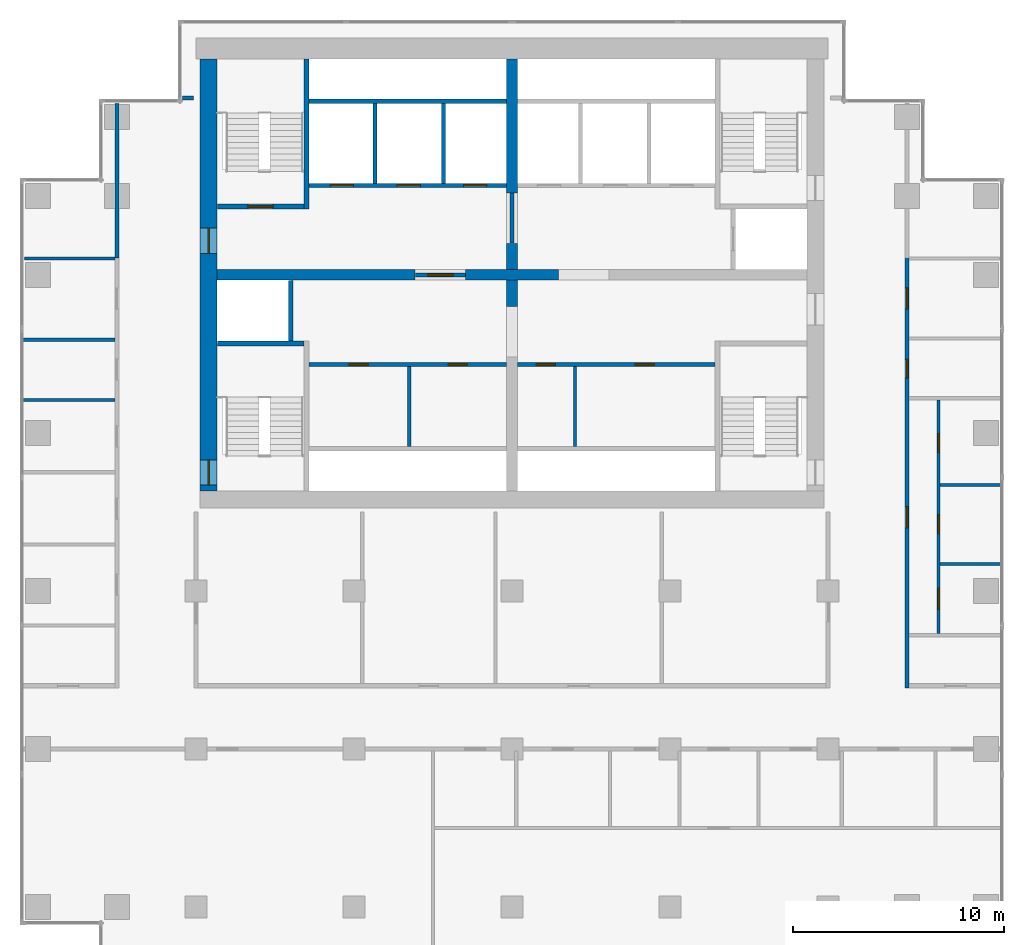
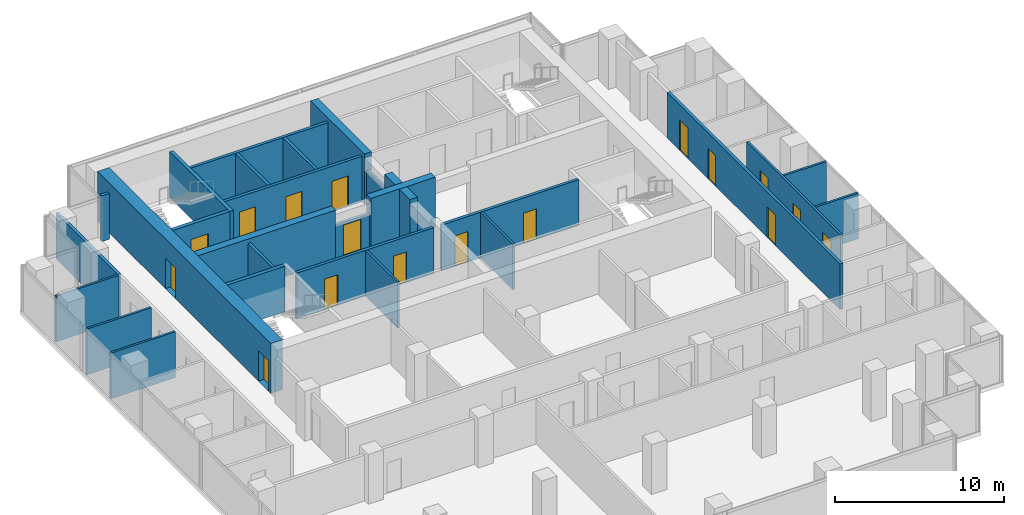
# One storey, part 8 of 10: 29 walls, 17 doors, 17 openings.
"""IFC4 building model written with IfcOpenShell, lengths in metres."""

from ifc_helpers import new_model, si_unit, direction, frame, frame_2d, origin, place, context, subcontext, project, spatial, rectangle, extrude, material, layer, layer_set, type_object, element, fill, save


model = new_model("IFC4")

# Units and contexts
model_context = context("Model", 3, precision=1e-05, world=origin(), true_north=direction((0.0, 1.0)))
body_context = subcontext(model_context, "Body", "Model", "MODEL_VIEW")
ifc_project = project(units=[si_unit("LENGTHUNIT", "METRE"), si_unit("AREAUNIT", "SQUARE_METRE"), si_unit("VOLUMEUNIT", "CUBIC_METRE"), si_unit("PLANEANGLEUNIT", "RADIAN"), si_unit("MASSUNIT", "GRAM", prefix="KILO")], contexts=[model_context])

# Site, building, storey
site_placement = place(None, origin())
site = spatial("IfcSite", under=ifc_project, at=site_placement, CompositionType="ELEMENT")
building_placement = place(site_placement, origin())
building = spatial("IfcBuilding", under=site, at=building_placement, Name="Pilkhan Gate Tower", CompositionType="ELEMENT")
storey_placement = place(building_placement, frame((0.0, 0.0, 162.10009765625)))
storey = spatial("IfcBuildingStorey", under=building, at=storey_placement, Name="L41", CompositionType="ELEMENT", Elevation=162.10009765625)

# Wall, openings, doors
ifc_material_1 = material(Name="Concrete C60/75", Category="concrete")
ifc_layer_1 = layer(ifc_material_1, 0.800048828125)
ifc_layer_set_1 = layer_set([ifc_layer_1], Name="Core wall CW800 C60/75")
wall_type_1 = type_object("IfcWallType", Name="Core wall CW800 C60/75", PredefinedType="SHEAR", material=ifc_layer_set_1)
wall_1_placement = place(storey_placement, frame((60.60009765625, 92.75, 0.0), z_axis=(0.0, 0.0, 1.0), x_axis=(0.0, -1.0, 0.0)))
wall_1 = element("IfcWall", 1, at=wall_1_placement, inside=storey, type_object=wall_type_1, Name="Core wall W L41", PredefinedType="SHEAR", context=body_context, shape_type="SweptSolid", body=[
    extrude(rectangle(XDim=20.5, YDim=0.800048828125, at=frame_2d((10.25, 0.0))), origin(), (0.0, 0.0, 1.0), 3.599853515625),
])
opening_1_placement = place(wall_1_placement, frame((19.02490234375, 0.0, 0.0)))
opening_1 = element("IfcOpeningElement", 2, at=opening_1_placement, cuts=wall_1, Name="Opening L41-04", PredefinedType="OPENING", context=body_context, shape_type="SweptSolid", body=[
    extrude(rectangle(XDim=1.199951171875, YDim=2.199951171875, at=frame_2d((0.60009765625, 1.10009765625))), frame((0.0, 0.409912109375, 0.0), z_axis=(0.0, -1.0, 0.0), x_axis=(1.0, 0.0, 0.0)), (0.0, 0.0, 1.0), 0.820068359375),
])
opening_2_placement = place(wall_1_placement, frame((8.02490234375, 0.0, 0.0)))
opening_2 = element("IfcOpeningElement", 3, at=opening_2_placement, cuts=wall_1, Name="Opening L41-13", PredefinedType="OPENING", context=body_context, shape_type="SweptSolid", body=[
    extrude(rectangle(XDim=1.199951171875, YDim=2.199951171875, at=frame_2d((0.60009765625, 1.10009765625))), frame((0.0, 0.409912109375, 0.0), z_axis=(0.0, -1.0, 0.0), x_axis=(1.0, 0.0, 0.0)), (0.0, 0.0, 1.0), 0.820068359375),
])
ifc_material_2 = material(Name="Steel door, 120 minute fire resisting, self-closing", Category="steel")
door_type_1 = type_object("IfcDoorType", Name="Firefighting lobby door D10 1200x2200", OperationType="SINGLE_SWING_LEFT", PredefinedType="DOOR", material=ifc_material_2)
door_1_placement = place(opening_2_placement, origin())
door_1 = element("IfcDoor", 4, at=door_1_placement, inside=storey, type_object=door_type_1, Name="Core door", OperationType="SINGLE_SWING_LEFT", OverallHeight=2.199951171875, OverallWidth=1.199951171875, PredefinedType="DOOR", context=body_context, shape_type="SweptSolid", body=[
    extrude(rectangle(XDim=1.199951171875, YDim=2.199951171875, at=frame_2d((0.60009765625, 1.10009765625))), frame((0.0, 0.02490234375, 0.0), z_axis=(0.0, -1.0, 0.0), x_axis=(1.0, 0.0, 0.0)), (0.0, 0.0, 1.0), 0.050048828125),
])
fill(opening_2, door_1)
ifc_material_3 = material(Name="Steel door, 120 minute fire resisting, panic bar", Category="steel")
door_type_2 = type_object("IfcDoorType", Name="Stair door D11 1200x2200", OperationType="SINGLE_SWING_LEFT", PredefinedType="DOOR", material=ifc_material_3)
door_2_placement = place(opening_1_placement, origin())
door_2 = element("IfcDoor", 5, at=door_2_placement, inside=storey, type_object=door_type_2, Name="Stair ST2 door", OperationType="SINGLE_SWING_LEFT", OverallHeight=2.199951171875, OverallWidth=1.199951171875, PredefinedType="DOOR", context=body_context, shape_type="SweptSolid", body=[
    extrude(rectangle(XDim=1.199951171875, YDim=2.199951171875, at=frame_2d((0.60009765625, 1.10009765625))), frame((0.0, 0.02490234375, 0.0), z_axis=(0.0, -1.0, 0.0), x_axis=(1.0, 0.0, 0.0)), (0.0, 0.0, 1.0), 0.050048828125),
])
fill(opening_1, door_2)

# Walls
ifc_material_4 = material(Name="Dense blockwork", Category="masonry")
ifc_layer_2 = layer(ifc_material_4, 0.199951171875)
ifc_layer_set_2 = layer_set([ifc_layer_2], Name="Corridor wall FW200")
wall_type_2 = type_object("IfcWallType", Name="Corridor wall FW200", PredefinedType="PARTITIONING", material=ifc_layer_set_2)
wall_2_placement = place(storey_placement, frame((59.35498046875, 90.89990234375, 0.0), z_axis=(0.0, 0.0, 1.0), x_axis=(1.0, 0.0, 0.0)))
element("IfcWall", 6, at=wall_2_placement, inside=storey, type_object=wall_type_2, Name="Partition L41", PredefinedType="PARTITIONING", context=body_context, shape_type="SweptSolid", body=[
    extrude(rectangle(XDim=0.52490234375, YDim=0.199951171875, at=frame_2d((0.262451171875, 0.0))), origin(), (0.0, 0.0, 1.0), 3.2998046875),
])
wall_3_placement = place(storey_placement, frame((56.25, 83.31005859375, 0.0), z_axis=(0.0, 0.0, 1.0), x_axis=(0.0, 1.0, 0.0)))
element("IfcWall", 7, at=wall_3_placement, inside=storey, type_object=wall_type_2, Name="Partition L41", PredefinedType="PARTITIONING", context=body_context, shape_type="SweptSolid", body=[
    extrude(rectangle(XDim=7.3349609375, YDim=0.199951171875, at=frame_2d((3.66748046875, 0.0))), origin(), (0.0, 0.0, 1.0), 3.2998046875),
])

# Wall, openings, doors
wall_4_placement = place(storey_placement, frame((93.75, 62.89990234375, 0.0), z_axis=(0.0, 0.0, 1.0), x_axis=(0.0, 1.0, 0.0)))
wall_4 = element("IfcWall", 8, at=wall_4_placement, inside=storey, type_object=wall_type_2, Name="Partition L41", PredefinedType="PARTITIONING", context=body_context, shape_type="SweptSolid", body=[
    extrude(rectangle(XDim=20.455078125, YDim=0.199951171875, at=frame_2d((10.2275390625, 0.0))), origin(), (0.0, 0.0, 1.0), 3.2998046875),
])
opening_3_placement = place(wall_4_placement, frame((7.60009765625, 0.0, 0.0)))
opening_3 = element("IfcOpeningElement", 9, at=opening_3_placement, cuts=wall_4, Name="Opening L41-11", PredefinedType="OPENING", context=body_context, shape_type="SweptSolid", body=[
    extrude(rectangle(XDim=1.0, YDim=2.199951171875, at=frame_2d((0.5, 1.10009765625))), frame((0.0, 0.10986328125, 0.0), z_axis=(0.0, -1.0, 0.0), x_axis=(1.0, 0.0, 0.0)), (0.0, 0.0, 1.0), 0.219970703125),
])
opening_4_placement = place(wall_4_placement, frame((14.699951171875, 0.0, 0.0)))
opening_4 = element("IfcOpeningElement", 10, at=opening_4_placement, cuts=wall_4, Name="Opening L41-32", PredefinedType="OPENING", context=body_context, shape_type="SweptSolid", body=[
    extrude(rectangle(XDim=0.89990234375, YDim=2.199951171875, at=frame_2d((0.449951171875, 1.10009765625))), frame((0.0, 0.10986328125, 0.0), z_axis=(0.0, -1.0, 0.0), x_axis=(1.0, 0.0, 0.0)), (0.0, 0.0, 1.0), 0.219970703125),
])
opening_5_placement = place(wall_4_placement, frame((17.990966796875, 0.0, 0.0)))
opening_5 = element("IfcOpeningElement", 11, at=opening_5_placement, cuts=wall_4, Name="Opening L41-33", PredefinedType="OPENING", context=body_context, shape_type="SweptSolid", body=[
    extrude(rectangle(XDim=1.0, YDim=2.199951171875, at=frame_2d((0.5, 1.10009765625))), frame((0.0, 0.10986328125, 0.0), z_axis=(0.0, -1.0, 0.0), x_axis=(1.0, 0.0, 0.0)), (0.0, 0.0, 1.0), 0.219970703125),
])
ifc_material_5 = material(Name="Timber flush door, 30 minute fire resisting", Category="wood")
door_type_3 = type_object("IfcDoorType", Name="Room door D03 1000x2200", OperationType="SINGLE_SWING_LEFT", PredefinedType="DOOR", material=ifc_material_5)
door_3_placement = place(opening_3_placement, origin())
door_3 = element("IfcDoor", 12, at=door_3_placement, inside=storey, type_object=door_type_3, Name="Toilet lobby door", OperationType="SINGLE_SWING_RIGHT", OverallHeight=2.199951171875, OverallWidth=1.0, PredefinedType="DOOR", context=body_context, shape_type="SweptSolid", body=[
    extrude(rectangle(XDim=1.0, YDim=2.199951171875, at=frame_2d((0.5, 1.10009765625))), frame((0.0, 0.02490234375, 0.0), z_axis=(0.0, -1.0, 0.0), x_axis=(1.0, 0.0, 0.0)), (0.0, 0.0, 1.0), 0.050048828125),
])
fill(opening_3, door_3)
door_4_placement = place(opening_5_placement, origin())
door_4 = element("IfcDoor", 13, at=door_4_placement, inside=storey, type_object=door_type_3, Name="Room door", OperationType="SINGLE_SWING_RIGHT", OverallHeight=2.199951171875, OverallWidth=1.0, PredefinedType="DOOR", context=body_context, shape_type="SweptSolid", body=[
    extrude(rectangle(XDim=1.0, YDim=2.199951171875, at=frame_2d((0.5, 1.10009765625))), frame((0.0, 0.02490234375, 0.0), z_axis=(0.0, -1.0, 0.0), x_axis=(1.0, 0.0, 0.0)), (0.0, 0.0, 1.0), 0.050048828125),
])
fill(opening_5, door_4)
ifc_material_6 = material(Name="Timber flush door, 60 minute fire resisting, self-closing", Category="wood")
door_type_4 = type_object("IfcDoorType", Name="Store door D05 900x2200", OperationType="SINGLE_SWING_LEFT", PredefinedType="DOOR", material=ifc_material_6)
door_5_placement = place(opening_4_placement, origin())
door_5 = element("IfcDoor", 14, at=door_5_placement, inside=storey, type_object=door_type_4, Name="Store door", OperationType="SINGLE_SWING_RIGHT", OverallHeight=2.199951171875, OverallWidth=0.89990234375, PredefinedType="DOOR", context=body_context, shape_type="SweptSolid", body=[
    extrude(rectangle(XDim=0.89990234375, YDim=2.199951171875, at=frame_2d((0.449951171875, 1.10009765625))), frame((0.0, 0.02490234375, 0.0), z_axis=(0.0, -1.0, 0.0), x_axis=(1.0, 0.0, 0.0)), (0.0, 0.0, 1.0), 0.050048828125),
])
fill(opening_4, door_5)

ifc_layer_3 = layer(ifc_material_4, 0.199951171875)
ifc_layer_set_3 = layer_set([ifc_layer_3], Name="Lobby wall LW200")
wall_type_3 = type_object("IfcWallType", Name="Lobby wall LW200", PredefinedType="PARTITIONING", material=ifc_layer_set_3)
wall_5_placement = place(storey_placement, frame((65.375, 78.25, 0.0), z_axis=(0.0, 0.0, 1.0), x_axis=(1.0, 0.0, 0.0)))
wall_5 = element("IfcWall", 15, at=wall_5_placement, inside=storey, type_object=wall_type_3, Name="Partition L41", PredefinedType="PARTITIONING", context=body_context, shape_type="SweptSolid", body=[
    extrude(rectangle(XDim=9.364990234375, YDim=0.199951171875, at=frame_2d((4.6826171875, 0.0))), origin(), (0.0, 0.0, 1.0), 3.2998046875),
])
opening_6_placement = place(wall_5_placement, frame((1.89990234375, 0.0, 0.0)))
opening_6 = element("IfcOpeningElement", 16, at=opening_6_placement, cuts=wall_5, Name="Opening L41-14", PredefinedType="OPENING", context=body_context, shape_type="SweptSolid", body=[
    extrude(rectangle(XDim=0.89990234375, YDim=2.199951171875, at=frame_2d((0.449951171875, 1.10009765625))), frame((0.0, 0.10986328125, 0.0), z_axis=(0.0, -1.0, 0.0), x_axis=(1.0, 0.0, 0.0)), (0.0, 0.0, 1.0), 0.219970703125),
])
opening_7_placement = place(wall_5_placement, frame((6.60009765625, 0.0, 0.0)))
opening_7 = element("IfcOpeningElement", 17, at=opening_7_placement, cuts=wall_5, Name="Opening L41-15", PredefinedType="OPENING", context=body_context, shape_type="SweptSolid", body=[
    extrude(rectangle(XDim=0.89990234375, YDim=2.199951171875, at=frame_2d((0.449951171875, 1.10009765625))), frame((0.0, 0.10986328125, 0.0), z_axis=(0.0, -1.0, 0.0), x_axis=(1.0, 0.0, 0.0)), (0.0, 0.0, 1.0), 0.219970703125),
])
door_6_placement = place(opening_6_placement, origin())
door_6 = element("IfcDoor", 18, at=door_6_placement, inside=storey, type_object=door_type_4, Name="Store door", OperationType="SINGLE_SWING_RIGHT", OverallHeight=2.199951171875, OverallWidth=0.89990234375, PredefinedType="DOOR", context=body_context, shape_type="SweptSolid", body=[
    extrude(rectangle(XDim=0.89990234375, YDim=2.199951171875, at=frame_2d((0.449951171875, 1.10009765625))), frame((0.0, 0.02490234375, 0.0), z_axis=(0.0, -1.0, 0.0), x_axis=(1.0, 0.0, 0.0)), (0.0, 0.0, 1.0), 0.050048828125),
])
fill(opening_6, door_6)
door_7_placement = place(opening_7_placement, origin())
door_7 = element("IfcDoor", 19, at=door_7_placement, inside=storey, type_object=door_type_4, Name="Store door", OperationType="SINGLE_SWING_LEFT", OverallHeight=2.199951171875, OverallWidth=0.89990234375, PredefinedType="DOOR", context=body_context, shape_type="SweptSolid", body=[
    extrude(rectangle(XDim=0.89990234375, YDim=2.199951171875, at=frame_2d((0.449951171875, 1.10009765625))), frame((0.0, 0.02490234375, 0.0), z_axis=(0.0, -1.0, 0.0), x_axis=(1.0, 0.0, 0.0)), (0.0, 0.0, 1.0), 0.050048828125),
])
fill(opening_7, door_7)

wall_6_placement = place(storey_placement, frame((75.260009765625, 78.25, 0.0), z_axis=(0.0, 0.0, 1.0), x_axis=(1.0, 0.0, 0.0)))
wall_6 = element("IfcWall", 20, at=wall_6_placement, inside=storey, type_object=wall_type_3, Name="Partition L41", PredefinedType="PARTITIONING", context=body_context, shape_type="SweptSolid", body=[
    extrude(rectangle(XDim=9.364990234375, YDim=0.199951171875, at=frame_2d((4.6826171875, 0.0))), origin(), (0.0, 0.0, 1.0), 3.2998046875),
])
opening_8_placement = place(wall_6_placement, frame((0.89990234375, 0.0, 0.0)))
opening_8 = element("IfcOpeningElement", 21, at=opening_8_placement, cuts=wall_6, Name="Opening L41-16", PredefinedType="OPENING", context=body_context, shape_type="SweptSolid", body=[
    extrude(rectangle(XDim=0.89990234375, YDim=2.199951171875, at=frame_2d((0.449951171875, 1.10009765625))), frame((0.0, 0.10986328125, 0.0), z_axis=(0.0, -1.0, 0.0), x_axis=(1.0, 0.0, 0.0)), (0.0, 0.0, 1.0), 0.219970703125),
])
opening_9_placement = place(wall_6_placement, frame((5.580078125, 0.0, 0.0)))
opening_9 = element("IfcOpeningElement", 22, at=opening_9_placement, cuts=wall_6, Name="Opening L41-17", PredefinedType="OPENING", context=body_context, shape_type="SweptSolid", body=[
    extrude(rectangle(XDim=0.89990234375, YDim=2.199951171875, at=frame_2d((0.449951171875, 1.10009765625))), frame((0.0, 0.10986328125, 0.0), z_axis=(0.0, -1.0, 0.0), x_axis=(1.0, 0.0, 0.0)), (0.0, 0.0, 1.0), 0.219970703125),
])
door_8_placement = place(opening_8_placement, origin())
door_8 = element("IfcDoor", 23, at=door_8_placement, inside=storey, type_object=door_type_4, Name="Store door", OperationType="SINGLE_SWING_RIGHT", OverallHeight=2.199951171875, OverallWidth=0.89990234375, PredefinedType="DOOR", context=body_context, shape_type="SweptSolid", body=[
    extrude(rectangle(XDim=0.89990234375, YDim=2.199951171875, at=frame_2d((0.449951171875, 1.10009765625))), frame((0.0, 0.02490234375, 0.0), z_axis=(0.0, -1.0, 0.0), x_axis=(1.0, 0.0, 0.0)), (0.0, 0.0, 1.0), 0.050048828125),
])
fill(opening_8, door_8)
door_9_placement = place(opening_9_placement, origin())
door_9 = element("IfcDoor", 24, at=door_9_placement, inside=storey, type_object=door_type_4, Name="Store door", OperationType="SINGLE_SWING_RIGHT", OverallHeight=2.199951171875, OverallWidth=0.89990234375, PredefinedType="DOOR", context=body_context, shape_type="SweptSolid", body=[
    extrude(rectangle(XDim=0.89990234375, YDim=2.199951171875, at=frame_2d((0.449951171875, 1.10009765625))), frame((0.0, 0.02490234375, 0.0), z_axis=(0.0, -1.0, 0.0), x_axis=(1.0, 0.0, 0.0)), (0.0, 0.0, 1.0), 0.050048828125),
])
fill(opening_9, door_9)

# Wall, opening, door
wall_7_placement = place(storey_placement, frame((70.409912109375, 82.5, 0.0), z_axis=(0.0, 0.0, 1.0), x_axis=(1.0, 0.0, 0.0)))
wall_7 = element("IfcWall", 25, at=wall_7_placement, inside=storey, type_object=wall_type_3, Name="Partition L41", PredefinedType="PARTITIONING", context=body_context, shape_type="SweptSolid", body=[
    extrude(rectangle(XDim=2.380126953125, YDim=0.199951171875, at=frame_2d((1.18994140625, 0.0))), origin(), (0.0, 0.0, 1.0), 2.39990234375),
])
opening_10_placement = place(wall_7_placement, frame((0.60009765625, 0.0, 0.0)))
opening_10 = element("IfcOpeningElement", 26, at=opening_10_placement, cuts=wall_7, Name="Opening L41-01", PredefinedType="OPENING", context=body_context, shape_type="SweptSolid", body=[
    extrude(rectangle(XDim=1.199951171875, YDim=2.199951171875, at=frame_2d((0.60009765625, 1.10009765625))), frame((0.0, 0.10986328125, 0.0), z_axis=(0.0, -1.0, 0.0), x_axis=(1.0, 0.0, 0.0)), (0.0, 0.0, 1.0), 0.219970703125),
])
door_10_placement = place(opening_10_placement, origin())
door_10 = element("IfcDoor", 27, at=door_10_placement, inside=storey, type_object=door_type_1, Name="Firefighting lobby door", OperationType="SINGLE_SWING_LEFT", OverallHeight=2.199951171875, OverallWidth=1.199951171875, PredefinedType="DOOR", context=body_context, shape_type="SweptSolid", body=[
    extrude(rectangle(XDim=1.199951171875, YDim=2.199951171875, at=frame_2d((0.60009765625, 1.10009765625))), frame((0.0, 0.02490234375, 0.0), z_axis=(0.0, -1.0, 0.0), x_axis=(1.0, 0.0, 0.0)), (0.0, 0.0, 1.0), 0.050048828125),
])
fill(opening_10, door_10)

# Walls
wall_8_placement = place(storey_placement, frame((75.0, 84.010009765625, 0.0), z_axis=(0.0, 0.0, 1.0), x_axis=(0.0, 1.0, 0.0)))
element("IfcWall", 28, at=wall_8_placement, inside=storey, type_object=wall_type_3, Name="Partition L41", PredefinedType="PARTITIONING", context=body_context, shape_type="SweptSolid", body=[
    extrude(rectangle(XDim=2.3798828125, YDim=0.199951171875, at=frame_2d((1.18994140625, 0.0))), origin(), (0.0, 0.0, 1.0), 2.39990234375),
])
ifc_material_7 = material(Name="Blockwork partition, plastered both sides", Category="masonry")
ifc_layer_4 = layer(ifc_material_7, 0.14990234375)
ifc_layer_set_4 = layer_set([ifc_layer_4], Name="Partition PW150")
wall_type_4 = type_object("IfcWallType", Name="Partition PW150", PredefinedType="PARTITIONING", material=ifc_layer_set_4)
for number, where, z_axis, x_axis, name in (
    (29, (95.324951171875, 68.77490234375, 0.0), (0.0, 0.0, 1.0), (1.0, 0.0, 0.0), "Partition L41"),
    (30, (95.324951171875, 72.52490234375, 0.0), (0.0, 0.0, 1.0), (1.0, 0.0, 0.0), "Partition L41"),
):
    element("IfcWall", number, at=place(storey_placement, frame(where, z_axis=z_axis, x_axis=x_axis)), inside=storey, type_object=wall_type_4, Name=name, PredefinedType="PARTITIONING", context=body_context, shape_type="SweptSolid", body=[
        extrude(rectangle(XDim=2.93994140625, YDim=0.14990234375, at=frame_2d((1.469970703125, 0.0))), origin(), (0.0, 0.0, 1.0), 3.2998046875),
    ])
for number, where, z_axis, x_axis, name in (
    (31, (51.735107421875, 76.568115234375, 0.0), (0.0, 0.0, 1.0), (1.0, 0.0, 0.0), "Partition L41"),
    (32, (51.735107421875, 79.424072265625, 0.0), (0.0, 0.0, 1.0), (1.0, 0.0, 0.0), "Partition L41"),
):
    element("IfcWall", number, at=place(storey_placement, frame(where, z_axis=z_axis, x_axis=x_axis)), inside=storey, type_object=wall_type_4, Name=name, PredefinedType="PARTITIONING", context=body_context, shape_type="SweptSolid", body=[
        extrude(rectangle(XDim=4.414794921875, YDim=0.14990234375, at=frame_2d((2.20751953125, 0.0))), origin(), (0.0, 0.0, 1.0), 3.2998046875),
    ])
wall_9_placement = place(storey_placement, frame((51.85498046875, 83.280029296875, 0.0), z_axis=(0.0, 0.0, 1.0), x_axis=(1.0, 0.0, 0.0)))
element("IfcWall", 33, at=wall_9_placement, inside=storey, type_object=wall_type_4, Name="Partition L41", PredefinedType="PARTITIONING", context=body_context, shape_type="SweptSolid", body=[
    extrude(rectangle(XDim=4.294921875, YDim=0.14990234375, at=frame_2d((2.1474609375, 0.0))), origin(), (0.0, 0.0, 1.0), 3.2998046875),
])
for number, where, z_axis, x_axis, name in (
    (34, (70.125, 74.35009765625, 0.0), (0.0, 0.0, 1.0), (0.0, 1.0, 0.0), "Partition L41"),
    (35, (77.989990234375, 74.35009765625, 0.0), (0.0, 0.0, 1.0), (0.0, 1.0, 0.0), "Partition L41"),
):
    element("IfcWall", number, at=place(storey_placement, frame(where, z_axis=z_axis, x_axis=x_axis)), inside=storey, type_object=wall_type_4, Name=name, PredefinedType="PARTITIONING", context=body_context, shape_type="SweptSolid", body=[
        extrude(rectangle(XDim=3.7998046875, YDim=0.14990234375, at=frame_2d((1.89990234375, 0.0))), origin(), (0.0, 0.0, 1.0), 3.2998046875),
    ])

# Wall, openings, doors
wall_10_placement = place(storey_placement, frame((95.25, 65.47509765625, 0.0), z_axis=(0.0, 0.0, 1.0), x_axis=(0.0, 1.0, 0.0)))
wall_10 = element("IfcWall", 36, at=wall_10_placement, inside=storey, type_object=wall_type_4, Name="Partition L41", PredefinedType="PARTITIONING", context=body_context, shape_type="SweptSolid", body=[
    extrude(rectangle(XDim=11.099853515625, YDim=0.14990234375, at=frame_2d((5.5498046875, 0.0))), origin(), (0.0, 0.0, 1.0), 3.2998046875),
])
opening_11_placement = place(wall_10_placement, frame((1.14990234375, 0.0, 0.0)))
opening_11 = element("IfcOpeningElement", 37, at=opening_11_placement, cuts=wall_10, Name="Opening L41-28", PredefinedType="OPENING", context=body_context, shape_type="SweptSolid", body=[
    extrude(rectangle(XDim=1.0, YDim=2.199951171875, at=frame_2d((0.5, 1.10009765625))), frame((0.0, 0.0849609375, 0.0), z_axis=(0.0, -1.0, 0.0), x_axis=(1.0, 0.0, 0.0)), (0.0, 0.0, 1.0), 0.169921875),
])
opening_12_placement = place(wall_10_placement, frame((4.75, 0.0, 0.0)))
opening_12 = element("IfcOpeningElement", 38, at=opening_12_placement, cuts=wall_10, Name="Opening L41-29", PredefinedType="OPENING", context=body_context, shape_type="SweptSolid", body=[
    extrude(rectangle(XDim=0.89990234375, YDim=2.199951171875, at=frame_2d((0.449951171875, 1.10009765625))), frame((0.0, 0.0849609375, 0.0), z_axis=(0.0, -1.0, 0.0), x_axis=(1.0, 0.0, 0.0)), (0.0, 0.0, 1.0), 0.169921875),
])
opening_13_placement = place(wall_10_placement, frame((8.60009765625, 0.0, 0.0)))
opening_13 = element("IfcOpeningElement", 39, at=opening_13_placement, cuts=wall_10, Name="Opening L41-30", PredefinedType="OPENING", context=body_context, shape_type="SweptSolid", body=[
    extrude(rectangle(XDim=0.89990234375, YDim=2.199951171875, at=frame_2d((0.449951171875, 1.10009765625))), frame((0.0, 0.0849609375, 0.0), z_axis=(0.0, -1.0, 0.0), x_axis=(1.0, 0.0, 0.0)), (0.0, 0.0, 1.0), 0.169921875),
])
ifc_material_8 = material(Name="Timber flush door, outward opening, 30 minute fire resisting", Category="wood")
door_type_5 = type_object("IfcDoorType", Name="Accessible toilet door D07 1000x2200", OperationType="SINGLE_SWING_LEFT", PredefinedType="DOOR", material=ifc_material_8)
door_11_placement = place(opening_11_placement, origin())
door_11 = element("IfcDoor", 40, at=door_11_placement, inside=storey, type_object=door_type_5, Name="Accessible toilet door", OperationType="SINGLE_SWING_LEFT", OverallHeight=2.199951171875, OverallWidth=1.0, PredefinedType="DOOR", context=body_context, shape_type="SweptSolid", body=[
    extrude(rectangle(XDim=1.0, YDim=2.199951171875, at=frame_2d((0.5, 1.10009765625))), frame((0.0, 0.02490234375, 0.0), z_axis=(0.0, -1.0, 0.0), x_axis=(1.0, 0.0, 0.0)), (0.0, 0.0, 1.0), 0.050048828125),
])
fill(opening_11, door_11)
door_type_6 = type_object("IfcDoorType", Name="Toilet door D06 900x2200", OperationType="SINGLE_SWING_LEFT", PredefinedType="DOOR", material=ifc_material_5)
door_12_placement = place(opening_12_placement, origin())
door_12 = element("IfcDoor", 41, at=door_12_placement, inside=storey, type_object=door_type_6, Name="Toilet door", OperationType="SINGLE_SWING_LEFT", OverallHeight=2.199951171875, OverallWidth=0.89990234375, PredefinedType="DOOR", context=body_context, shape_type="SweptSolid", body=[
    extrude(rectangle(XDim=0.89990234375, YDim=2.199951171875, at=frame_2d((0.449951171875, 1.10009765625))), frame((0.0, 0.02490234375, 0.0), z_axis=(0.0, -1.0, 0.0), x_axis=(1.0, 0.0, 0.0)), (0.0, 0.0, 1.0), 0.050048828125),
])
fill(opening_12, door_12)
door_13_placement = place(opening_13_placement, origin())
door_13 = element("IfcDoor", 42, at=door_13_placement, inside=storey, type_object=door_type_6, Name="Toilet door", OperationType="SINGLE_SWING_LEFT", OverallHeight=2.199951171875, OverallWidth=0.89990234375, PredefinedType="DOOR", context=body_context, shape_type="SweptSolid", body=[
    extrude(rectangle(XDim=0.89990234375, YDim=2.199951171875, at=frame_2d((0.449951171875, 1.10009765625))), frame((0.0, 0.02490234375, 0.0), z_axis=(0.0, -1.0, 0.0), x_axis=(1.0, 0.0, 0.0)), (0.0, 0.0, 1.0), 0.050048828125),
])
fill(opening_13, door_13)

ifc_material_9 = material(Name="Reinforced blockwork shaft wall, 120 minute fire resisting", Category="masonry")
ifc_layer_5 = layer(ifc_material_9, 0.199951171875)
ifc_layer_set_5 = layer_set([ifc_layer_5], Name="Shaft wall SW200")
wall_type_5 = type_object("IfcWallType", Name="Shaft wall SW200", PredefinedType="PARTITIONING", material=ifc_layer_set_5)
wall_11_placement = place(storey_placement, frame((65.375, 86.75, 0.0), z_axis=(0.0, 0.0, 1.0), x_axis=(1.0, 0.0, 0.0)))
wall_11 = element("IfcWall", 43, at=wall_11_placement, inside=storey, type_object=wall_type_5, Name="Partition L41", PredefinedType="PARTITIONING", context=body_context, shape_type="SweptSolid", body=[
    extrude(rectangle(XDim=9.364990234375, YDim=0.199951171875, at=frame_2d((4.6826171875, 0.0))), origin(), (0.0, 0.0, 1.0), 3.2998046875),
])
opening_14_placement = place(wall_11_placement, frame((1.0, 0.0, 0.0)))
opening_14 = element("IfcOpeningElement", 44, at=opening_14_placement, cuts=wall_11, Name="Opening LD", PredefinedType="OPENING", context=body_context, shape_type="SweptSolid", body=[
    extrude(rectangle(XDim=1.10009765625, YDim=2.199951171875, at=frame_2d((0.550048828125, 1.10009765625))), frame((0.0, 0.10986328125, 0.0), z_axis=(0.0, -1.0, 0.0), x_axis=(1.0, 0.0, 0.0)), (0.0, 0.0, 1.0), 0.219970703125),
])
opening_15_placement = place(wall_11_placement, frame((4.175048828125, 0.0, 0.0)))
opening_15 = element("IfcOpeningElement", 45, at=opening_15_placement, cuts=wall_11, Name="Opening LD", PredefinedType="OPENING", context=body_context, shape_type="SweptSolid", body=[
    extrude(rectangle(XDim=1.10009765625, YDim=2.199951171875, at=frame_2d((0.550048828125, 1.10009765625))), frame((0.0, 0.10986328125, 0.0), z_axis=(0.0, -1.0, 0.0), x_axis=(1.0, 0.0, 0.0)), (0.0, 0.0, 1.0), 0.219970703125),
])
opening_16_placement = place(wall_11_placement, frame((7.324951171875, 0.0, 0.0)))
opening_16 = element("IfcOpeningElement", 46, at=opening_16_placement, cuts=wall_11, Name="Opening LD", PredefinedType="OPENING", context=body_context, shape_type="SweptSolid", body=[
    extrude(rectangle(XDim=1.10009765625, YDim=2.199951171875, at=frame_2d((0.550048828125, 1.10009765625))), frame((0.0, 0.10986328125, 0.0), z_axis=(0.0, -1.0, 0.0), x_axis=(1.0, 0.0, 0.0)), (0.0, 0.0, 1.0), 0.219970703125),
])
ifc_material_10 = material(Name="Stainless steel centre-opening landing door, 120 minute fire resisting", Category="steel")
door_type_7 = type_object("IfcDoorType", Name="Lift landing door LD 1100x2200", OperationType="DOUBLE_DOOR_SLIDING", PredefinedType="DOOR", material=ifc_material_10)
door_14_placement = place(opening_14_placement, origin())
door_14 = element("IfcDoor", 47, at=door_14_placement, inside=storey, type_object=door_type_7, Name="Landing door FF1", OperationType="DOUBLE_DOOR_SLIDING", OverallHeight=2.199951171875, OverallWidth=1.10009765625, PredefinedType="DOOR", context=body_context, shape_type="SweptSolid", body=[
    extrude(rectangle(XDim=1.10009765625, YDim=2.199951171875, at=frame_2d((0.550048828125, 1.10009765625))), frame((0.0, 0.02490234375, 0.0), z_axis=(0.0, -1.0, 0.0), x_axis=(1.0, 0.0, 0.0)), (0.0, 0.0, 1.0), 0.050048828125),
])
fill(opening_14, door_14)
door_15_placement = place(opening_15_placement, origin())
door_15 = element("IfcDoor", 48, at=door_15_placement, inside=storey, type_object=door_type_7, Name="Landing door FF2", OperationType="DOUBLE_DOOR_SLIDING", OverallHeight=2.199951171875, OverallWidth=1.10009765625, PredefinedType="DOOR", context=body_context, shape_type="SweptSolid", body=[
    extrude(rectangle(XDim=1.10009765625, YDim=2.199951171875, at=frame_2d((0.550048828125, 1.10009765625))), frame((0.0, 0.02490234375, 0.0), z_axis=(0.0, -1.0, 0.0), x_axis=(1.0, 0.0, 0.0)), (0.0, 0.0, 1.0), 0.050048828125),
])
fill(opening_15, door_15)
door_16_placement = place(opening_16_placement, origin())
door_16 = element("IfcDoor", 49, at=door_16_placement, inside=storey, type_object=door_type_7, Name="Landing door SV1", OperationType="DOUBLE_DOOR_SLIDING", OverallHeight=2.199951171875, OverallWidth=1.10009765625, PredefinedType="DOOR", context=body_context, shape_type="SweptSolid", body=[
    extrude(rectangle(XDim=1.10009765625, YDim=2.199951171875, at=frame_2d((0.550048828125, 1.10009765625))), frame((0.0, 0.02490234375, 0.0), z_axis=(0.0, -1.0, 0.0), x_axis=(1.0, 0.0, 0.0)), (0.0, 0.0, 1.0), 0.050048828125),
])
fill(opening_16, door_16)

# Walls
wall_12_placement = place(storey_placement, frame((65.375, 90.75, 0.0), z_axis=(0.0, 0.0, 1.0), x_axis=(1.0, 0.0, 0.0)))
element("IfcWall", 50, at=wall_12_placement, inside=storey, type_object=wall_type_5, Name="Partition L41", PredefinedType="PARTITIONING", context=body_context, shape_type="SweptSolid", body=[
    extrude(rectangle(XDim=9.364990234375, YDim=0.199951171875, at=frame_2d((4.6826171875, 0.0))), origin(), (0.0, 0.0, 1.0), 3.2998046875),
])
wall_13_placement = place(storey_placement, frame((64.5, 79.375, 0.0), z_axis=(0.0, 0.0, 1.0), x_axis=(0.0, 1.0, 0.0)))
element("IfcWall", 51, at=wall_13_placement, inside=storey, type_object=wall_type_5, Name="Partition L41", PredefinedType="PARTITIONING", context=body_context, shape_type="SweptSolid", body=[
    extrude(rectangle(XDim=2.864990234375, YDim=0.199951171875, at=frame_2d((1.4326171875, 0.0))), origin(), (0.0, 0.0, 1.0), 3.2998046875),
])
for number, where, z_axis, x_axis, name in (
    (52, (68.5, 86.85009765625, 0.0), (0.0, 0.0, 1.0), (0.0, 1.0, 0.0), "Partition L41"),
    (53, (71.75, 86.85009765625, 0.0), (0.0, 0.0, 1.0), (0.0, 1.0, 0.0), "Partition L41"),
):
    element("IfcWall", number, at=place(storey_placement, frame(where, z_axis=z_axis, x_axis=x_axis)), inside=storey, type_object=wall_type_5, Name=name, PredefinedType="PARTITIONING", context=body_context, shape_type="SweptSolid", body=[
        extrude(rectangle(XDim=3.7998046875, YDim=0.199951171875, at=frame_2d((1.89990234375, 0.0))), origin(), (0.0, 0.0, 1.0), 3.2998046875),
    ])
ifc_layer_6 = layer(ifc_material_1, 0.5)
ifc_layer_set_6 = layer_set([ifc_layer_6], Name="Spine wall SW500 C60/75")
wall_type_6 = type_object("IfcWallType", Name="Spine wall SW500 C60/75", PredefinedType="SHEAR", material=ifc_layer_set_6)
wall_14_placement = place(storey_placement, frame((61.0, 82.5, 0.0), z_axis=(0.0, 0.0, 1.0), x_axis=(1.0, 0.0, 0.0)))
element("IfcWall", 54, at=wall_14_placement, inside=storey, type_object=wall_type_6, Name="Spine wall SP-EW1 L41", PredefinedType="SHEAR", context=body_context, shape_type="SweptSolid", body=[
    extrude(rectangle(XDim=9.39990234375, YDim=0.5, at=frame_2d((4.699951171875, 0.0))), origin(), (0.0, 0.0, 1.0), 3.599853515625),
])
wall_15_placement = place(storey_placement, frame((72.800048828125, 82.5, 0.0), z_axis=(0.0, 0.0, 1.0), x_axis=(1.0, 0.0, 0.0)))
element("IfcWall", 55, at=wall_15_placement, inside=storey, type_object=wall_type_6, Name="Spine wall SP-EW2 L41", PredefinedType="SHEAR", context=body_context, shape_type="SweptSolid", body=[
    extrude(rectangle(XDim=4.39990234375, YDim=0.5, at=frame_2d((2.199951171875, 0.0))), origin(), (0.0, 0.0, 1.0), 3.599853515625),
])
for number, where, z_axis, x_axis, name in (
    (56, (75.0, 81.0, 0.0), (0.0, 0.0, 1.0), (0.0, 1.0, 0.0), "Spine wall SP-NS-S2 L41"),
    (57, (75.0, 82.75, 0.0), (0.0, 0.0, 1.0), (0.0, 1.0, 0.0), "Spine wall SP-NS-N1 L41"),
):
    element("IfcWall", number, at=place(storey_placement, frame(where, z_axis=z_axis, x_axis=x_axis)), inside=storey, type_object=wall_type_6, Name=name, PredefinedType="SHEAR", context=body_context, shape_type="SweptSolid", body=[
        extrude(rectangle(XDim=1.25, YDim=0.5, at=frame_2d((0.625, 0.0))), origin(), (0.0, 0.0, 1.0), 3.599853515625),
    ])
wall_16_placement = place(storey_placement, frame((75.0, 86.39990234375, 0.0), z_axis=(0.0, 0.0, 1.0), x_axis=(0.0, 1.0, 0.0)))
element("IfcWall", 58, at=wall_16_placement, inside=storey, type_object=wall_type_6, Name="Spine wall SP-NS-N2 L41", PredefinedType="SHEAR", context=body_context, shape_type="SweptSolid", body=[
    extrude(rectangle(XDim=6.35009765625, YDim=0.5, at=frame_2d((3.175048828125, 0.0))), origin(), (0.0, 0.0, 1.0), 3.599853515625),
])
ifc_material_11 = material(Name="Reinforced blockwork, 120 minute fire resisting", Category="masonry")
ifc_layer_7 = layer(ifc_material_11, 0.25)
ifc_layer_set_7 = layer_set([ifc_layer_7], Name="Stair enclosure wall SE250")
wall_type_7 = type_object("IfcWallType", Name="Stair enclosure wall SE250", PredefinedType="PARTITIONING", material=ifc_layer_set_7)
wall_17_placement = place(storey_placement, frame((61.010009765625, 79.25, 0.0), z_axis=(0.0, 0.0, 1.0), x_axis=(1.0, 0.0, 0.0)))
element("IfcWall", 59, at=wall_17_placement, inside=storey, type_object=wall_type_7, Name="Partition L41", PredefinedType="PARTITIONING", context=body_context, shape_type="SweptSolid", body=[
    extrude(rectangle(XDim=4.114990234375, YDim=0.25, at=frame_2d((2.0576171875, 0.0))), origin(), (0.0, 0.0, 1.0), 3.2998046875),
])

# Wall, opening, door
wall_18_placement = place(storey_placement, frame((61.010009765625, 85.75, 0.0), z_axis=(0.0, 0.0, 1.0), x_axis=(1.0, 0.0, 0.0)))
wall_18 = element("IfcWall", 60, at=wall_18_placement, inside=storey, type_object=wall_type_7, Name="Partition L41", PredefinedType="PARTITIONING", context=body_context, shape_type="SweptSolid", body=[
    extrude(rectangle(XDim=4.114990234375, YDim=0.25, at=frame_2d((2.0576171875, 0.0))), origin(), (0.0, 0.0, 1.0), 3.2998046875),
])
opening_17_placement = place(wall_18_placement, frame((1.449951171875, 0.0, 0.0)))
opening_17 = element("IfcOpeningElement", 61, at=opening_17_placement, cuts=wall_18, Name="Opening L41-02", PredefinedType="OPENING", context=body_context, shape_type="SweptSolid", body=[
    extrude(rectangle(XDim=1.199951171875, YDim=2.199951171875, at=frame_2d((0.60009765625, 1.10009765625))), frame((0.0, 0.135009765625, 0.0), z_axis=(0.0, -1.0, 0.0), x_axis=(1.0, 0.0, 0.0)), (0.0, 0.0, 1.0), 0.27001953125),
])
door_17_placement = place(opening_17_placement, origin())
door_17 = element("IfcDoor", 62, at=door_17_placement, inside=storey, type_object=door_type_2, Name="Stair ST3 lobby door", OperationType="SINGLE_SWING_RIGHT", OverallHeight=2.199951171875, OverallWidth=1.199951171875, PredefinedType="DOOR", context=body_context, shape_type="SweptSolid", body=[
    extrude(rectangle(XDim=1.199951171875, YDim=2.199951171875, at=frame_2d((0.60009765625, 1.10009765625))), frame((0.0, 0.02490234375, 0.0), z_axis=(0.0, -1.0, 0.0), x_axis=(1.0, 0.0, 0.0)), (0.0, 0.0, 1.0), 0.050048828125),
])
fill(opening_17, door_17)

# Wall
wall_19_placement = place(storey_placement, frame((65.25, 85.625, 0.0), z_axis=(0.0, 0.0, 1.0), x_axis=(0.0, 1.0, 0.0)))
element("IfcWall", 63, at=wall_19_placement, inside=storey, type_object=wall_type_7, Name="Partition L41", PredefinedType="PARTITIONING", context=body_context, shape_type="SweptSolid", body=[
    extrude(rectangle(XDim=7.114990234375, YDim=0.25, at=frame_2d((3.5576171875, 0.0))), origin(), (0.0, 0.0, 1.0), 3.2998046875),
])

save(model, "model.ifc")
